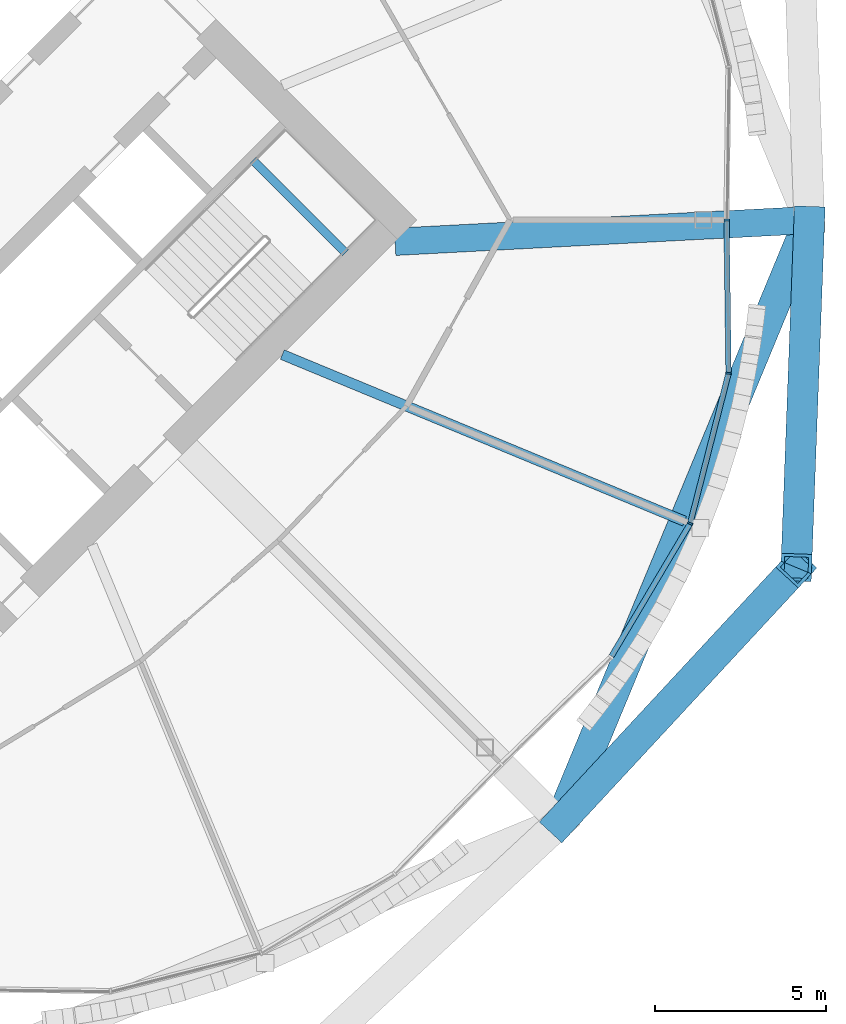
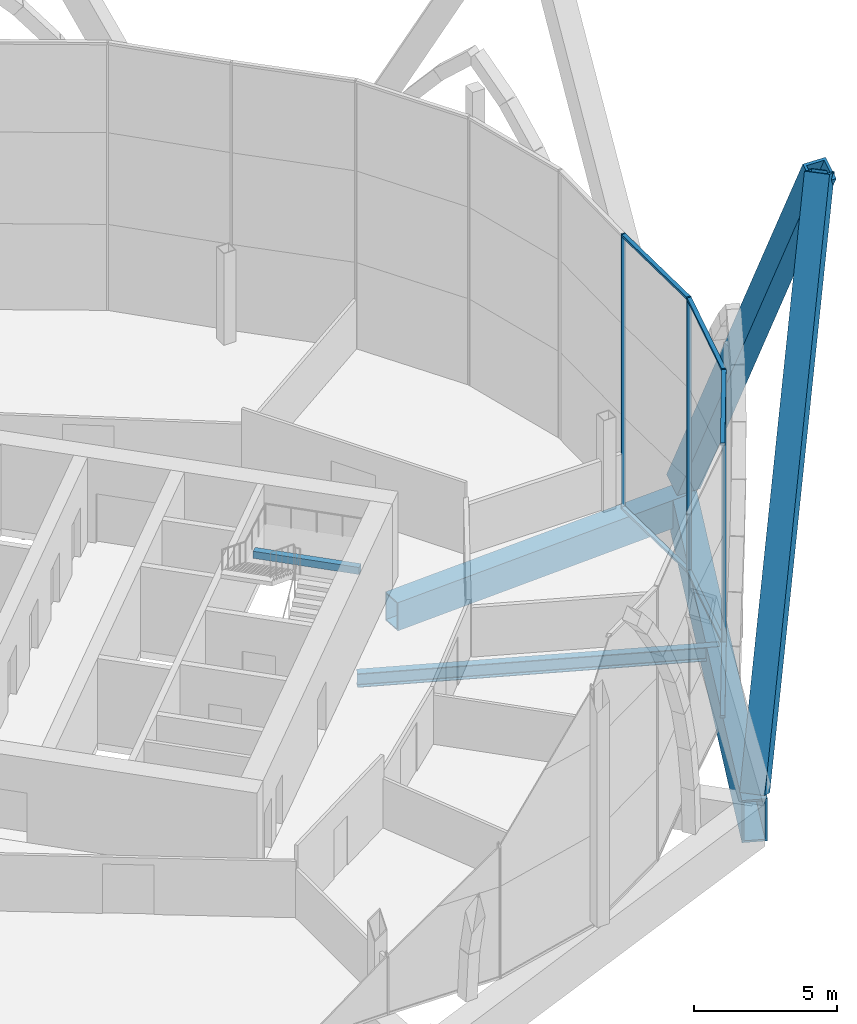
# One storey, part 18 of 37: 11 members, 4 beams, 2 elements without a shape of their own.
"""IFC4 building model written with IfcOpenShell, lengths in metres."""

from ifc_helpers import new_model, si_unit, direction, frame, origin, origin_2d, place, context, subcontext, project, spatial, rectangle, hollow_rectangle, i_section, extrude, material, material_profile, profile_set, type_object, element, aggregate, save


model = new_model("IFC4")

# Units and contexts
model_context = context("Model", 3, precision=1e-05, world=origin(), true_north=direction((0.0, 1.0)))
body_context = subcontext(model_context, "Body", "Model", "MODEL_VIEW")
ifc_project = project(units=[si_unit("LENGTHUNIT", "METRE"), si_unit("AREAUNIT", "SQUARE_METRE"), si_unit("VOLUMEUNIT", "CUBIC_METRE"), si_unit("PLANEANGLEUNIT", "RADIAN"), si_unit("MASSUNIT", "GRAM", prefix="KILO")], contexts=[model_context])

# Site, building, storey
site_placement = place(None, origin())
site = spatial("IfcSite", under=ifc_project, at=site_placement, CompositionType="ELEMENT")
building_placement = place(site_placement, origin())
building = spatial("IfcBuilding", under=site, at=building_placement, Name="Ogive Gate Towers", CompositionType="ELEMENT")
storey_placement = place(building_placement, frame((0.0, 0.0, 32.39990234375)))
storey = spatial("IfcBuildingStorey", under=building, at=storey_placement, Name="L06", CompositionType="ELEMENT", Elevation=32.39990234375)

# Members
ifc_material_1 = material(Name="Steel SM460", Category="steel")
ifc_material_profile_1 = material_profile(ifc_material_1, hollow_rectangle(XDim=0.89990234375, YDim=0.89990234375, WallThickness=0.10009765625, at=origin_2d()), Name="BX 900x900x100")
ifc_profile_set_1 = profile_set([ifc_material_profile_1], Name="Steel SM460")
member_type_1 = type_object("IfcMemberType", Name="Diagrid diagonal BX 900x900x100", PredefinedType="BRACE", material=ifc_profile_set_1)
for number, where, z_axis, x_axis, name in (
    (1, (60.909912109375, 0.0, 0.0), (-0.017318521171, -0.462004857089, 0.886708283964), (0.999298155125, -0.037459273404, 0.0), "T2/L06/SDG001"),
    (2, (53.614013671875, -17.614013671875, 0.0), (0.31444089886, 0.338942066201, 0.886704684144), (-0.733107278791, 0.68011301839, 0.0), "T2/L06/SDG016"),
):
    element("IfcMember", number, at=place(storey_placement, frame(where, z_axis=z_axis, x_axis=x_axis)), inside=storey, type_object=member_type_1, Name=name, PredefinedType="BRACE", context=body_context, shape_type="SweptSolid", body=[
        extrude(hollow_rectangle(XDim=0.89990234375, YDim=0.89990234375, WallThickness=0.10009765625, at=origin_2d()), origin(), (0.0, 0.0, 1.0), 21.991455078125),
    ])

# Beams
ifc_material_profile_2 = material_profile(ifc_material_1, hollow_rectangle(XDim=0.89990234375, YDim=1.800048828125, WallThickness=0.080078125, at=origin_2d()), Name="BX 1800x900x80")
ifc_profile_set_2 = profile_set([ifc_material_profile_2], Name="Steel SM460")
beam_type_1 = type_object("IfcBeamType", Name="Edge girder BX 1800x900x80", PredefinedType="BEAM", material=ifc_profile_set_2)
beam_1_placement = place(storey_placement, frame((53.614013671875, -17.614013671875, -1.199951171875), z_axis=(0.382680526191, 0.923880736283, 0.0), x_axis=(-0.923880736283, 0.382680526191, 0.0)))
element("IfcBeam", 3, at=beam_1_placement, inside=storey, type_object=beam_type_1, Name="T2/L06/SBM019", PredefinedType="BEAM", context=body_context, shape_type="SweptSolid", body=[
    extrude(hollow_rectangle(XDim=0.89990234375, YDim=1.800048828125, WallThickness=0.080078125, at=origin_2d()), origin(), (0.0, 0.0, 1.0), 19.065185546875),
])
ifc_material_2 = material(Name="Concrete C40/50", Category="concrete")
ifc_material_profile_3 = material_profile(ifc_material_2, rectangle(XDim=0.25, YDim=0.300048828125, at=origin_2d()), Name="RC 250x300")
ifc_profile_set_3 = profile_set([ifc_material_profile_3], Name="Concrete C40/50")
beam_type_2 = type_object("IfcBeamType", Name="Landing bearer RC 250x300", PredefinedType="BEAM", material=ifc_profile_set_3)
beam_2_placement = place(storey_placement, frame((47.349609375, -0.9541015625, 1.60009765625), z_axis=(-0.707106781187, 0.707106781187, 0.0), x_axis=(-0.707106781187, -0.707106781187, 0.0)))
element("IfcBeam", 4, at=beam_2_placement, inside=storey, type_object=beam_type_2, Name="T2 L06 stair 2 landing bearer 1", PredefinedType="BEAM", context=body_context, shape_type="SweptSolid", body=[
    extrude(rectangle(XDim=0.25, YDim=0.300048828125, at=origin_2d()), origin(), (0.0, 0.0, 1.0), 3.824951171875),
])
ifc_material_3 = material(Name="Steel SM355", Category="steel")
ifc_material_profile_4 = material_profile(ifc_material_3, i_section(OverallWidth=0.300048828125, OverallDepth=0.590087890625, WebThickness=0.012939453125, FlangeThickness=0.02490234375, FilletRadius=0.027099609375, at=origin_2d()), Name="HE 600 A")
ifc_profile_set_4 = profile_set([ifc_material_profile_4], Name="Steel SM355")
beam_type_3 = type_object("IfcBeamType", Name="Radial floor beam HE 600 A", PredefinedType="BEAM", material=ifc_profile_set_4)
beam_3_placement = place(storey_placement, frame((45.5, -3.93505859375, -0.594970703125), z_axis=(0.923876595354, -0.382690523214, 0.0), x_axis=(0.382690523214, 0.923876595354, 0.0)))
element("IfcBeam", 5, at=beam_3_placement, inside=storey, type_object=beam_type_3, Name="T2/L06/SBM006", PredefinedType="BEAM", context=body_context, shape_type="SweptSolid", body=[
    extrude(i_section(OverallWidth=0.300048828125, OverallDepth=0.590087890625, WebThickness=0.012939453125, FlangeThickness=0.02490234375, FilletRadius=0.027099609375, at=origin_2d()), origin(), (0.0, 0.0, 1.0), 12.731201171875),
])

# Curtain wall, member
ifc_material_4 = material(Name="Pale metal aluminium", Category="aluminium")
curtain_wall_type = type_object("IfcCurtainWallType", Name="Tower unitised wall, low zone", PredefinedType="NOTDEFINED", material=ifc_material_4)
curtain_wall_1_placement = place(storey_placement, origin())
curtain_wall_1 = element("IfcCurtainWall", 6, at=curtain_wall_1_placement, inside=storey, type_object=curtain_wall_type, Name="CW1 T2 ECW01", PredefinedType="NOTDEFINED")
ifc_material_profile_5 = material_profile(ifc_material_4, rectangle(XDim=0.159912109375, YDim=0.06005859375, at=origin_2d()), Name="60 x 160 aluminium box")
ifc_profile_set_5 = profile_set([ifc_material_profile_5], Name="Pale metal aluminium")
member_type_2 = type_object("IfcMemberType", Name="Tower unitised wall, low zone mullion 60 x 160", PredefinedType="MULLION", material=ifc_profile_set_5)
member_1_placement = place(storey_placement, frame((58.489990234375, 0.000244140625, -0.2998046875), z_axis=(0.0, 0.0, 1.0), x_axis=(0.999910399799, -0.013386275544, 0.0)))
member_1 = element("IfcMember", 7, at=member_1_placement, type_object=member_type_2, Name="CW1 mullion", PredefinedType="MULLION", context=body_context, shape_type="SweptSolid", body=[
    extrude(rectangle(XDim=0.159912109375, YDim=0.06005859375, at=origin_2d()), origin(), (0.0, 0.0, 1.0), 11.699951171875),
])
aggregate(curtain_wall_1, [member_1])

# Curtain wall, members
curtain_wall_2_placement = place(storey_placement, origin())
curtain_wall_2 = element("IfcCurtainWall", 8, at=curtain_wall_2_placement, inside=storey, type_object=curtain_wall_type, Name="CW1 T2 ECW08", PredefinedType="NOTDEFINED")
member_2_placement = place(storey_placement, frame((57.42578125, -8.874755859375, -0.2998046875), z_axis=(0.0, 0.0, 1.0), x_axis=(0.923879532511, -0.382683432365, 0.0)))
member_2 = element("IfcMember", 9, at=member_2_placement, type_object=member_type_2, Name="CW1 mullion", PredefinedType="MULLION", context=body_context, shape_type="SweptSolid", body=[
    extrude(rectangle(XDim=0.159912109375, YDim=0.06005859375, at=origin_2d()), origin(), (0.0, 0.0, 1.0), 11.699951171875),
])
member_3_placement = place(storey_placement, frame((58.550048828125, -4.47900390625, -0.2998046875), z_axis=(0.0, 0.0, 1.0), x_axis=(0.992984094708, -0.118247992189, 0.0)))
member_3 = element("IfcMember", 10, at=member_3_placement, type_object=member_type_2, Name="CW1 mullion", PredefinedType="MULLION", context=body_context, shape_type="SweptSolid", body=[
    extrude(rectangle(XDim=0.159912109375, YDim=0.06005859375, at=origin_2d()), origin(), (0.0, 0.0, 1.0), 11.699951171875),
])
ifc_material_profile_6 = material_profile(ifc_material_4, rectangle(XDim=0.159912109375, YDim=0.10009765625, at=origin_2d()), Name="100 x 160 aluminium box")
ifc_profile_set_6 = profile_set([ifc_material_profile_6], Name="Pale metal aluminium")
member_type_3 = type_object("IfcMemberType", Name="Tower unitised wall, low zone transom 100 x 160", PredefinedType="USERDEFINED", material=ifc_profile_set_6)
member_4_placement = place(storey_placement, frame((55.126220703125, -12.75439453125, 11.35009765625), z_axis=(0.509842699042, 0.860267645697, 0.0), x_axis=(-0.860267645697, 0.509842699042, 0.0)))
member_4 = element("IfcMember", 11, at=member_4_placement, type_object=member_type_3, Name="CW1 transom", ObjectType="TRANSOM", PredefinedType="USERDEFINED", context=body_context, shape_type="SweptSolid", body=[
    extrude(rectangle(XDim=0.159912109375, YDim=0.10009765625, at=origin_2d()), origin(), (0.0, 0.0, 1.0), 4.482666015625),
])
member_5_placement = place(storey_placement, frame((55.126220703125, -12.75439453125, -0.25), z_axis=(0.509842699042, 0.860267645697, 0.0), x_axis=(-0.860267645697, 0.509842699042, 0.0)))
member_5 = element("IfcMember", 12, at=member_5_placement, type_object=member_type_3, Name="CW1 transom", ObjectType="TRANSOM", PredefinedType="USERDEFINED", context=body_context, shape_type="SweptSolid", body=[
    extrude(rectangle(XDim=0.159912109375, YDim=0.10009765625, at=origin_2d()), origin(), (0.0, 0.0, 1.0), 4.482666015625),
])
member_6_placement = place(storey_placement, frame((57.432373046875, -8.848388671875, 11.35009765625), z_axis=(0.24781185132, 0.968808178302, 0.0), x_axis=(-0.968808178302, 0.24781185132, 0.0)))
member_6 = element("IfcMember", 13, at=member_6_placement, type_object=member_type_3, Name="CW1 transom", ObjectType="TRANSOM", PredefinedType="USERDEFINED", context=body_context, shape_type="SweptSolid", body=[
    extrude(rectangle(XDim=0.159912109375, YDim=0.10009765625, at=origin_2d()), origin(), (0.0, 0.0, 1.0), 4.482666015625),
])
member_7_placement = place(storey_placement, frame((57.432373046875, -8.848388671875, -0.25), z_axis=(0.24781185132, 0.968808178302, 0.0), x_axis=(-0.968808178302, 0.24781185132, 0.0)))
member_7 = element("IfcMember", 14, at=member_7_placement, type_object=member_type_3, Name="CW1 transom", ObjectType="TRANSOM", PredefinedType="USERDEFINED", context=body_context, shape_type="SweptSolid", body=[
    extrude(rectangle(XDim=0.159912109375, YDim=0.10009765625, at=origin_2d()), origin(), (0.0, 0.0, 1.0), 4.482666015625),
])
member_8_placement = place(storey_placement, frame((58.549560546875, -4.45166015625, 11.35009765625), z_axis=(-0.013361590097, 0.99991072997, 0.0), x_axis=(-0.99991072997, -0.013361590097, 0.0)))
member_8 = element("IfcMember", 15, at=member_8_placement, type_object=member_type_3, Name="CW1 transom", ObjectType="TRANSOM", PredefinedType="USERDEFINED", context=body_context, shape_type="SweptSolid", body=[
    extrude(rectangle(XDim=0.159912109375, YDim=0.10009765625, at=origin_2d()), origin(), (0.0, 0.0, 1.0), 4.421875),
])
member_9_placement = place(storey_placement, frame((58.549560546875, -4.45166015625, -0.25), z_axis=(-0.013361590097, 0.99991072997, 0.0), x_axis=(-0.99991072997, -0.013361590097, 0.0)))
member_9 = element("IfcMember", 16, at=member_9_placement, type_object=member_type_3, Name="CW1 transom", ObjectType="TRANSOM", PredefinedType="USERDEFINED", context=body_context, shape_type="SweptSolid", body=[
    extrude(rectangle(XDim=0.159912109375, YDim=0.10009765625, at=origin_2d()), origin(), (0.0, 0.0, 1.0), 4.421875),
])
aggregate(curtain_wall_2, [member_2, member_4, member_5, member_3, member_6, member_7, member_8, member_9])

# Beam
ifc_material_profile_7 = material_profile(ifc_material_1, hollow_rectangle(XDim=0.800048828125, YDim=1.199951171875, WallThickness=0.050048828125, at=origin_2d()), Name="BX 1200x800x50")
ifc_profile_set_7 = profile_set([ifc_material_profile_7], Name="Steel SM460")
beam_type_4 = type_object("IfcBeamType", Name="Transfer radial beam BX 1200x800x50", PredefinedType="BEAM", material=ifc_profile_set_7)
beam_4_placement = place(storey_placement, frame((48.798583984375, -0.636474609375, -0.89990234375), z_axis=(0.998621996823, 0.052479590907, 0.0), x_axis=(-0.052479590907, 0.998621996823, 0.0)))
element("IfcBeam", 17, at=beam_4_placement, inside=storey, type_object=beam_type_4, Name="T2/L06/SBM007", PredefinedType="BEAM", context=body_context, shape_type="SweptSolid", body=[
    extrude(hollow_rectangle(XDim=0.800048828125, YDim=1.199951171875, WallThickness=0.050048828125, at=origin_2d()), origin(), (0.0, 0.0, 1.0), 12.1279296875),
])

save(model, "model.ifc")
